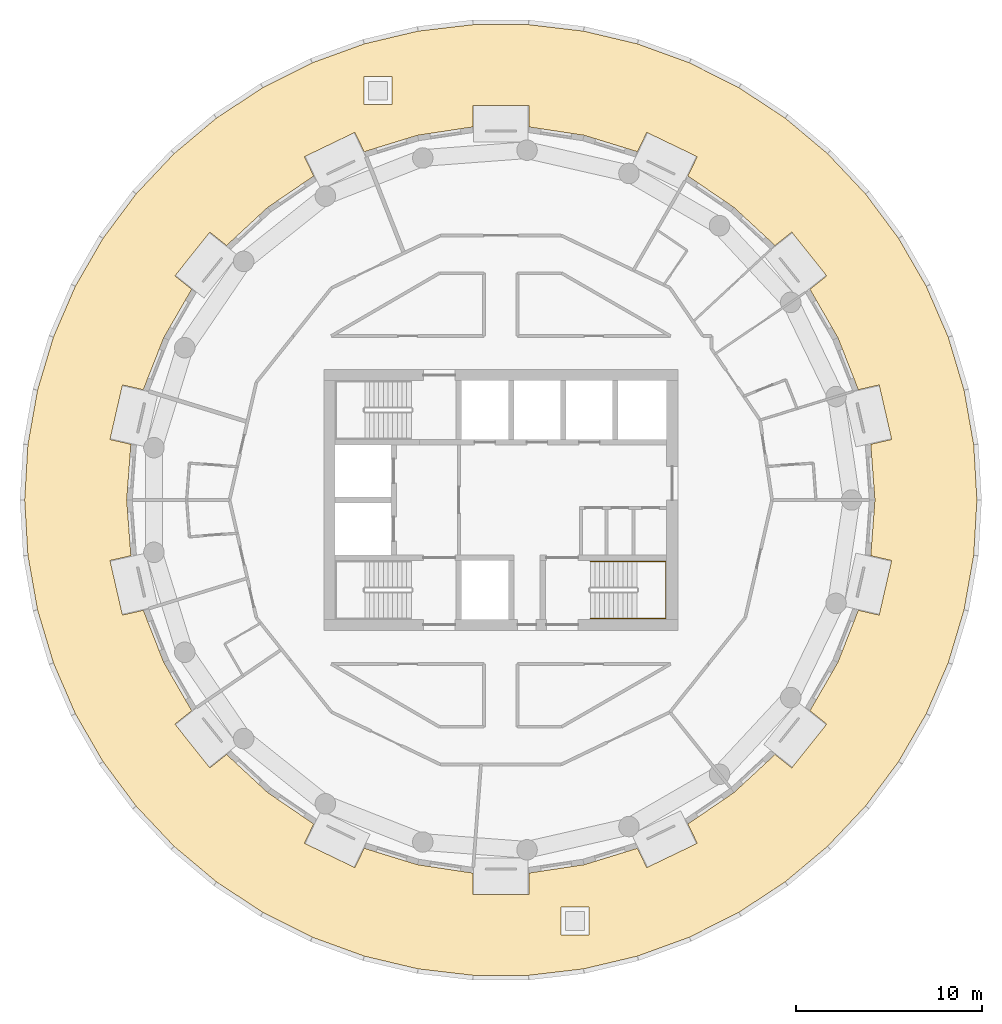
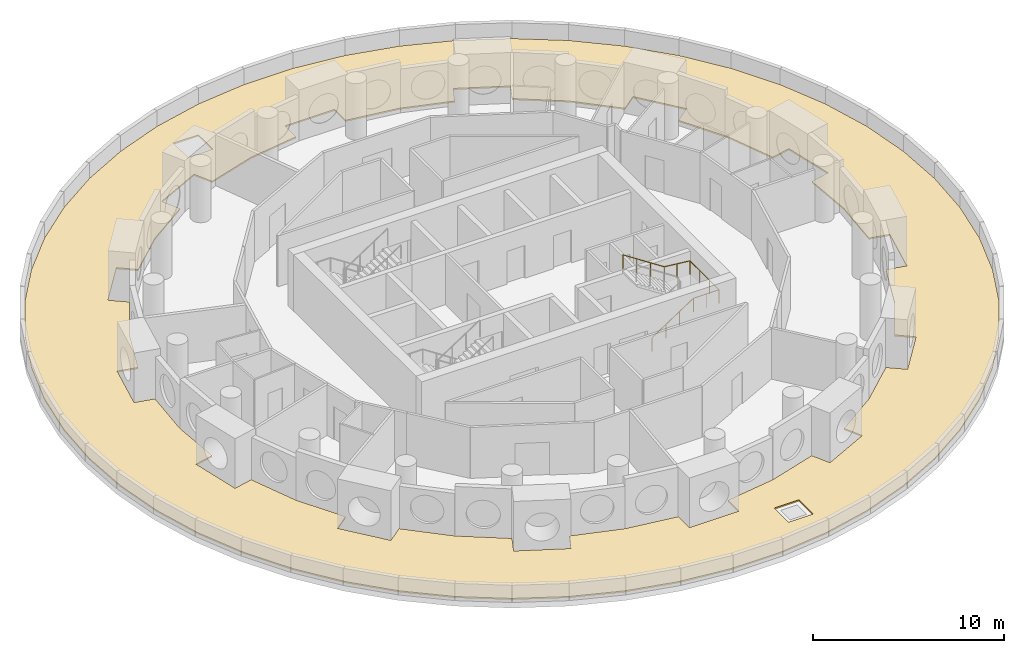
# One storey, part 13 of 13: 1 covering, 1 railing.
"""IFC4 building model written with IfcOpenShell, lengths in metres."""

import ifcopenshell
import ifcopenshell.guid

model = None  # the IFC model being written
_history = None  # IfcOwnerHistory: only IFC2X3 demands one
_inside = {}  # id of a spatial element -> (the spatial element, [elements in it])
_under = {}  # id of a project, library or spatial element -> (it, [spatial elements below it])
_declared = {}  # id of a project -> (the project, [libraries it declares])
_typed = {}  # id of a type object -> (the type object, [elements of that type])
_made_of = {}  # id of a material, layer set ... -> (it, [elements and type objects made of it])


def new_model(schema):
    """Start an empty IFC model of exactly this schema.

    Asked for "IFC4X3", IfcOpenShell would pick the latest addendum, in which some entities
    have other attributes; the version numbers below select the first issue.
    IFC2X3 requires an IfcOwnerHistory on every rooted entity: one is made here for all.
    """
    global model, _history
    if schema == "IFC4X3":
        model = ifcopenshell.file(schema_version=(4, 3, 0, 0))
    else:
        model = ifcopenshell.file(schema=schema)
    _inside.clear()
    _under.clear()
    _declared.clear()
    _typed.clear()
    _made_of.clear()
    _history = None
    if model.schema == "IFC2X3":
        org = make("IfcOrganization", Name="unknown")
        user = make(
            "IfcPersonAndOrganization",
            ThePerson=make("IfcPerson", FamilyName="unknown"),
            TheOrganization=org,
        )
        app = make(
            "IfcApplication",
            ApplicationDeveloper=org,
            Version="unknown",
            ApplicationFullName="unknown",
            ApplicationIdentifier="unknown",
        )
        _history = make(
            "IfcOwnerHistory",
            OwningUser=user,
            OwningApplication=app,
            ChangeAction="ADDED",
            CreationDate=0,
        )
    return model


def make(cls, **values):
    """One entity of the class cls with the attributes given. An attribute that is None is left unset."""
    return model.create_entity(
        cls, **{name: value for name, value in values.items() if value is not None}
    )


def rooted(cls, **values):
    """An entity with a GlobalId (a new one), such as an element, a storey or a relation."""
    return make(cls, GlobalId=ifcopenshell.guid.new(), OwnerHistory=_history, **values)


def si_unit(unit_type, name, prefix=None):
    """IfcSIUnit, for example si_unit("LENGTHUNIT", "METRE", prefix="MILLI")."""
    return make("IfcSIUnit", UnitType=unit_type, Prefix=prefix, Name=name)


def assignment(units):
    """IfcUnitAssignment: the units of a project."""
    return None if units is None else make("IfcUnitAssignment", Units=units)


def point(xyz):
    """IfcCartesianPoint."""
    return None if xyz is None else make("IfcCartesianPoint", Coordinates=xyz)


def direction(xyz):
    """IfcDirection."""
    return None if xyz is None else make("IfcDirection", DirectionRatios=xyz)


def frame(location, z_axis=None, x_axis=None):
    """IfcAxis2Placement3D, a coordinate frame: its origin and axes. An axis left out is left unset."""
    return make(
        "IfcAxis2Placement3D",
        Location=point(location),
        Axis=direction(z_axis),
        RefDirection=direction(x_axis),
    )


def frame_2d(location, x_axis=None):
    """IfcAxis2Placement2D, a coordinate frame in the plane: its origin and x axis."""
    return make(
        "IfcAxis2Placement2D", Location=point(location), RefDirection=direction(x_axis)
    )


def origin():
    """The frame at (0, 0, 0) with its axes left unset."""
    return frame((0.0, 0.0, 0.0))


def origin_2d():
    """The frame at (0, 0) in the plane with its x axis left unset."""
    return frame_2d((0.0, 0.0))


def place(relative_to, where):
    """IfcLocalPlacement: puts the frame where relative to a parent placement (None: the world)."""
    return make(
        "IfcLocalPlacement", PlacementRelTo=relative_to, RelativePlacement=where
    )


def context(
    kind, dimensions, precision=None, world=None, true_north=None, identifier=None
):
    """IfcGeometricRepresentationContext, for example the 3D "Model" context."""
    return make(
        "IfcGeometricRepresentationContext",
        ContextIdentifier=identifier,
        ContextType=kind,
        CoordinateSpaceDimension=dimensions,
        Precision=precision,
        WorldCoordinateSystem=world,
        TrueNorth=true_north,
    )


def subcontext(parent, identifier, kind, view, scale=None):
    """IfcGeometricRepresentationSubContext, for example "Body" below "Model"."""
    return make(
        "IfcGeometricRepresentationSubContext",
        ContextIdentifier=identifier,
        ContextType=kind,
        ParentContext=parent,
        TargetScale=scale,
        TargetView=view,
    )


def project(units=None, contexts=None):
    """IfcProject with its units and contexts."""
    return rooted(
        "IfcProject",
        Name="project",
        RepresentationContexts=contexts,
        UnitsInContext=assignment(units),
    )


def spatial(cls, under=None, at=None, **own):
    """A site, building, storey or space (cls), placed at a placement, below another one or the project."""
    s = rooted(cls, ObjectPlacement=at, **own)
    if under is not None:
        _under.setdefault(under.id(), (under, []))[1].append(s)
    return s


def polyline(points):
    """IfcPolyline through the points."""
    return make("IfcPolyline", Points=[point(p) for p in points])


def profile(cls, at=None, kind="AREA", **sizes):
    """A parametric profile (cls). Its sizes go by their IFC names, for example OverallWidth=200.0."""
    return make(cls, ProfileType=kind, Position=at, **sizes)


def circle(**sizes):
    """IfcCircleProfileDef."""
    return profile("IfcCircleProfileDef", **sizes)


def outline(outer, holes=None, kind="AREA"):
    """IfcArbitraryClosedProfileDef: a profile drawn as a closed curve; with holes, ...WithVoids."""
    if holes is None:
        return make("IfcArbitraryClosedProfileDef", ProfileType=kind, OuterCurve=outer)
    return make(
        "IfcArbitraryProfileDefWithVoids",
        ProfileType=kind,
        OuterCurve=outer,
        InnerCurves=holes,
    )


def extrude(swept, where, along, depth):
    """IfcExtrudedAreaSolid: the profile swept, set in the frame where, extruded along a direction by depth."""
    return make(
        "IfcExtrudedAreaSolid",
        SweptArea=swept,
        Position=where,
        ExtrudedDirection=direction(along),
        Depth=depth,
    )


def shape(context_of_items, identifier, shape_type, items):
    """IfcShapeRepresentation: the items that make up one representation, for example the "Body"."""
    return make(
        "IfcShapeRepresentation",
        ContextOfItems=context_of_items,
        RepresentationIdentifier=identifier,
        RepresentationType=shape_type,
        Items=items,
    )


def material(Name=None, Category=None):
    """IfcMaterial."""
    return make("IfcMaterial", Name=Name, Category=Category)


def layer(
    of_material, thickness, ventilated=None, Name=None, Category=None, Priority=None
):
    """IfcMaterialLayer: one layer of a wall or slab, of a material (None: an air gap)."""
    return make(
        "IfcMaterialLayer",
        Material=of_material,
        LayerThickness=thickness,
        IsVentilated=ventilated,
        Name=Name,
        Category=Category,
        Priority=Priority,
    )


def layer_set(layers, Name=None):
    """IfcMaterialLayerSet."""
    return make("IfcMaterialLayerSet", MaterialLayers=layers, LayerSetName=Name)


def made_of(thing, what):
    """Note that an element or type object is made of a material, layer set ...; save() writes the relation."""
    if what is not None:
        _made_of.setdefault(what.id(), (what, []))[1].append(thing)
    return thing


def type_object(cls, material=None, **own):
    """A type object (cls), such as IfcWallType, which elements share."""
    return made_of(rooted(cls, **own), material)


def element(
    cls,
    number,
    at=None,
    inside=None,
    cuts=None,
    type_object=None,
    material=None,
    context=None,
    identifier="Body",
    shape_type=None,
    held_by="IfcProductDefinitionShape",
    body=None,
    shapes=None,
    **own,
):
    """One element of the class cls, such as IfcWall. Its Tag is "e" and its number.

    at: its placement. inside: the storey or other place that contains it. cuts: it is an
    opening in that element (IfcRelVoidsElement). A single representation is given by context,
    identifier, shape_type and body (its items); several are given by shapes. held_by: the class
    of the entity that holds the representations. save() writes the other relations.
    """
    e = rooted(cls, Tag="e%d" % number, ObjectPlacement=at, **own)
    if body is not None:
        shapes = [shape(context, identifier, shape_type, body)]
    if shapes is not None:
        e.Representation = make(held_by, Representations=shapes)
    if inside is not None:
        _inside.setdefault(inside.id(), (inside, []))[1].append(e)
    if cuts is not None:
        rooted(
            "IfcRelVoidsElement", RelatingBuildingElement=cuts, RelatedOpeningElement=e
        )
    if type_object is not None:
        _typed.setdefault(type_object.id(), (type_object, []))[1].append(e)
    return made_of(e, material)


def aggregate(whole, parts):
    """IfcRelAggregates: a whole, such as a stair, and the parts it consists of."""
    return rooted("IfcRelAggregates", RelatingObject=whole, RelatedObjects=parts)


def save(model, path):
    """Write the relations noted so far, then the file.

    IfcRelAggregates (storeys below a building ...), IfcRelContainedInSpatialStructure (elements
    in a storey), IfcRelDefinesByType, IfcRelAssociatesMaterial and IfcRelDeclares: one each for
    every whole, place, type object, material and project.
    """
    for whole, parts in _under.values():
        aggregate(whole, parts)
    for where, things in _inside.values():
        rooted(
            "IfcRelContainedInSpatialStructure",
            RelatedElements=things,
            RelatingStructure=where,
        )
    for kind, things in _typed.values():
        rooted("IfcRelDefinesByType", RelatedObjects=things, RelatingType=kind)
    for what, things in _made_of.values():
        rooted("IfcRelAssociatesMaterial", RelatedObjects=things, RelatingMaterial=what)
    for by, libraries in _declared.values():
        rooted("IfcRelDeclares", RelatingContext=by, RelatedDefinitions=libraries)
    model.write(path)


model = new_model("IFC4")

# Units and contexts
model_context = context("Model", 3, precision=1e-05, world=origin(), true_north=direction((0.0, 1.0)))
body_context = subcontext(model_context, "Body", "Model", "MODEL_VIEW")
ifc_project = project(units=[si_unit("LENGTHUNIT", "METRE"), si_unit("AREAUNIT", "SQUARE_METRE"), si_unit("VOLUMEUNIT", "CUBIC_METRE"), si_unit("PLANEANGLEUNIT", "RADIAN"), si_unit("MASSUNIT", "GRAM", prefix="KILO")], contexts=[model_context])

# Site, building, storey
site_placement = place(None, origin())
site = spatial("IfcSite", under=ifc_project, at=site_placement, CompositionType="ELEMENT")
building_placement = place(site_placement, origin())
building = spatial("IfcBuilding", under=site, at=building_placement, Name="Tracery Tower", CompositionType="ELEMENT")
storey_placement = place(building_placement, frame((0.0, 0.0, 231.0)))
storey = spatial("IfcBuildingStorey", under=building, at=storey_placement, Name="L59", CompositionType="ELEMENT", Elevation=231.0)

# Railing
ifc_material_1 = material(Name="Stainless steel and laminated glass", Category="steel")
railing_type = type_object("IfcRailingType", Name="Stair handrail 900", PredefinedType="HANDRAIL", material=ifc_material_1)
railing_placement = place(storey_placement, frame((4.800048828125, -6.35009765625, 0.16357421875)))
element("IfcRailing", 1, at=railing_placement, inside=storey, type_object=railing_type, Name="L59 stair ST2 handrail 1", PredefinedType="HANDRAIL", context=body_context, shape_type="SweptSolid", body=[
    extrude(circle(Radius=0.02392578125, at=origin_2d()), frame((0.0, 0.0, 0.8759765625), z_axis=(0.83668449804, 0.0, 0.54768517484), x_axis=(0.0, 1.0, 0.0)), (0.0, 0.0, 1.0), 2.988037109375),
    extrude(circle(Radius=0.02392578125, at=origin_2d()), frame((2.5, 0.0, 2.51220703125), z_axis=(1.0, 0.0, 0.0), x_axis=(0.0, 1.0, 0.0)), (0.0, 0.0, 1.0), 1.550048828125),
    extrude(circle(Radius=0.02392578125, at=origin_2d()), frame((4.050048828125, 0.0, 2.51220703125), z_axis=(0.0, 1.0, 0.0), x_axis=(-1.0, 0.0, 0.0)), (0.0, 0.0, 1.0), 3.050048828125),
    extrude(circle(Radius=0.02392578125, at=origin_2d()), frame((4.050048828125, 3.050048828125, 2.51220703125), z_axis=(-0.994477953863, 0.0, 0.104945696817), x_axis=(0.0, -1.0, 0.0)), (0.0, 0.0, 1.0), 1.55859375),
    extrude(circle(Radius=0.02392578125, at=origin_2d()), frame((2.5, 3.050048828125, 2.67578125), z_axis=(-0.83668449804, 0.0, 0.54768517484), x_axis=(0.0, -1.0, 0.0)), (0.0, 0.0, 1.0), 2.988037109375),
    extrude(circle(Radius=0.02099609375, at=origin_2d()), origin(), (0.0, 0.0, 1.0), 0.851806640625),
    extrude(circle(Radius=0.02099609375, at=origin_2d()), frame((0.833251953125, 0.0, 0.54541015625)), (0.0, 0.0, 1.0), 0.851806640625),
    extrude(circle(Radius=0.02099609375, at=origin_2d()), frame((1.666748046875, 0.0, 1.091064453125)), (0.0, 0.0, 1.0), 0.851806640625),
    extrude(circle(Radius=0.02099609375, at=origin_2d()), frame((2.5, 0.0, 1.636474609375)), (0.0, 0.0, 1.0), 0.851806640625),
    extrude(circle(Radius=0.02099609375, at=origin_2d()), frame((3.27490234375, 0.0, 1.636474609375)), (0.0, 0.0, 1.0), 0.851806640625),
    extrude(circle(Radius=0.02099609375, at=origin_2d()), frame((4.050048828125, 0.0, 1.636474609375)), (0.0, 0.0, 1.0), 0.851806640625),
    extrude(circle(Radius=0.02099609375, at=origin_2d()), frame((4.050048828125, 1.0166015625, 1.636474609375)), (0.0, 0.0, 1.0), 0.851806640625),
    extrude(circle(Radius=0.02099609375, at=origin_2d()), frame((4.050048828125, 2.033447265625, 1.636474609375)), (0.0, 0.0, 1.0), 0.851806640625),
    extrude(circle(Radius=0.02099609375, at=origin_2d()), frame((4.050048828125, 3.050048828125, 1.636474609375)), (0.0, 0.0, 1.0), 0.851806640625),
    extrude(circle(Radius=0.02099609375, at=origin_2d()), frame((3.27490234375, 3.050048828125, 1.71826171875)), (0.0, 0.0, 1.0), 0.851806640625),
    extrude(circle(Radius=0.02099609375, at=origin_2d()), frame((2.5, 3.050048828125, 1.800048828125)), (0.0, 0.0, 1.0), 0.851806640625),
    extrude(circle(Radius=0.02099609375, at=origin_2d()), frame((1.666748046875, 3.050048828125, 2.345458984375)), (0.0, 0.0, 1.0), 0.851806640625),
    extrude(circle(Radius=0.02099609375, at=origin_2d()), frame((0.833251953125, 3.050048828125, 2.89111328125)), (0.0, 0.0, 1.0), 0.851806640625),
    extrude(circle(Radius=0.02099609375, at=origin_2d()), frame((0.0, 3.050048828125, 3.4365234375)), (0.0, 0.0, 1.0), 0.851806640625),
])

# Covering
ifc_material_2 = material(Name="Roof membrane on insulation")
ifc_layer = layer(ifc_material_2, 0.090087890625)
ifc_layer_set = layer_set([ifc_layer], Name="Terrace roof membrane 90")
covering_type = type_object("IfcCoveringType", Name="Terrace roof membrane 90", PredefinedType="ROOFING", material=ifc_layer_set)
covering_placement = place(storey_placement, origin())
element("IfcCovering", 2, at=covering_placement, inside=storey, type_object=covering_type, Name="Terrace roof L59", PredefinedType="ROOFING", context=body_context, shape_type="SweptSolid", body=[
    extrude(outline(polyline([(25.54736328125, 0.0), (25.37451171875, 2.9658203125), (24.858642578125, 5.8916015625), (24.006591796875, 8.73779296875), (22.829833984375, 11.465576171875), (21.344482421875, 14.03857421875), (19.5703125, 16.42138671875), (17.531494140625, 18.58251953125), (15.255859375, 20.4921875), (12.773681640625, 22.12451171875), (10.118896484375, 23.4580078125), (7.326904296875, 24.47412109375), (4.436279296875, 25.1591796875), (1.4853515625, 25.504150390625), (-1.4853515625, 25.504150390625), (-4.436279296875, 25.1591796875), (-7.326904296875, 24.47412109375), (-10.118896484375, 23.4580078125), (-12.773681640625, 22.12451171875), (-15.255859375, 20.4921875), (-17.531494140625, 18.58251953125), (-19.5703125, 16.42138671875), (-21.344482421875, 14.03857421875), (-22.829833984375, 11.465576171875), (-24.006591796875, 8.73779296875), (-24.858642578125, 5.8916015625), (-25.37451171875, 2.9658203125), (-25.54736328125, 0.0), (-25.37451171875, -2.9658203125), (-24.858642578125, -5.8916015625), (-24.006591796875, -8.73779296875), (-22.829833984375, -11.465576171875), (-21.344482421875, -14.03857421875), (-19.5703125, -16.42138671875), (-17.531494140625, -18.58251953125), (-15.255859375, -20.4921875), (-12.773681640625, -22.12451171875), (-10.118896484375, -23.4580078125), (-7.326904296875, -24.47412109375), (-4.436279296875, -25.1591796875), (-1.4853515625, -25.504150390625), (1.4853515625, -25.504150390625), (4.436279296875, -25.1591796875), (7.326904296875, -24.47412109375), (10.118896484375, -23.4580078125), (12.773681640625, -22.12451171875), (15.255859375, -20.4921875), (17.531494140625, -18.58251953125), (19.5703125, -16.42138671875), (21.344482421875, -14.03857421875), (22.829833984375, -11.465576171875), (24.006591796875, -8.73779296875), (24.858642578125, -5.8916015625), (25.37451171875, -2.9658203125), (25.54736328125, 0.0)]), holes=[polyline([(-1.5, -20.01611328125), (-4.466552734375, -19.56884765625), (-7.333251953125, -18.684814453125), (-7.832275390625, -19.720703125), (-10.53515625, -18.419189453125), (-10.0361328125, -17.383056640625), (-12.514892578125, -15.693115234375), (-14.714111328125, -13.652587890625), (-15.613037109375, -14.36962890625), (-17.4833984375, -12.024169921875), (-16.58447265625, -11.30712890625), (-18.08447265625, -8.708984375), (-19.180419921875, -5.91650390625), (-20.301513671875, -6.17236328125), (-20.96923828125, -3.24755859375), (-19.847900390625, -2.99169921875), (-20.072265625, 0.0), (-19.847900390625, 2.99169921875), (-20.96923828125, 3.24755859375), (-20.301513671875, 6.17236328125), (-19.180419921875, 5.91650390625), (-18.08447265625, 8.708984375), (-16.58447265625, 11.30712890625), (-17.4833984375, 12.024169921875), (-15.613037109375, 14.36962890625), (-14.714111328125, 13.652587890625), (-12.514892578125, 15.693115234375), (-10.0361328125, 17.383056640625), (-10.53515625, 18.419189453125), (-7.832275390625, 19.720703125), (-7.333251953125, 18.684814453125), (-4.466552734375, 19.56884765625), (-1.5, 20.01611328125), (-1.5, 21.166015625), (1.5, 21.166015625), (1.5, 20.01611328125), (4.466552734375, 19.56884765625), (7.333251953125, 18.684814453125), (7.832275390625, 19.720703125), (10.53515625, 18.419189453125), (10.0361328125, 17.383056640625), (12.514892578125, 15.693115234375), (14.714111328125, 13.652587890625), (15.613037109375, 14.36962890625), (17.4833984375, 12.024169921875), (16.58447265625, 11.30712890625), (18.08447265625, 8.708984375), (19.180419921875, 5.91650390625), (20.301513671875, 6.17236328125), (20.96923828125, 3.24755859375), (19.847900390625, 2.99169921875), (20.072265625, 0.0), (19.847900390625, -2.99169921875), (20.96923828125, -3.24755859375), (20.301513671875, -6.17236328125), (19.180419921875, -5.91650390625), (18.08447265625, -8.708984375), (16.58447265625, -11.30712890625), (17.4833984375, -12.024169921875), (15.613037109375, -14.36962890625), (14.714111328125, -13.652587890625), (12.514892578125, -15.693115234375), (10.0361328125, -17.383056640625), (10.53515625, -18.419189453125), (7.832275390625, -19.720703125), (7.333251953125, -18.684814453125), (4.466552734375, -19.56884765625), (1.5, -20.01611328125), (1.5, -21.166015625), (-1.5, -21.166015625), (-1.5, -20.01611328125)]), polyline([(-7.340576171875, 21.217529296875), (-7.340576171875, 22.717529296875), (-5.840576171875, 22.717529296875), (-5.840576171875, 21.217529296875), (-7.340576171875, 21.217529296875)]), polyline([(3.232666015625, -23.33642578125), (3.232666015625, -21.83642578125), (4.732666015625, -21.83642578125), (4.732666015625, -23.33642578125), (3.232666015625, -23.33642578125)])]), origin(), (0.0, 0.0, 1.0), 0.090087890625),
])

save(model, "model.ifc")
